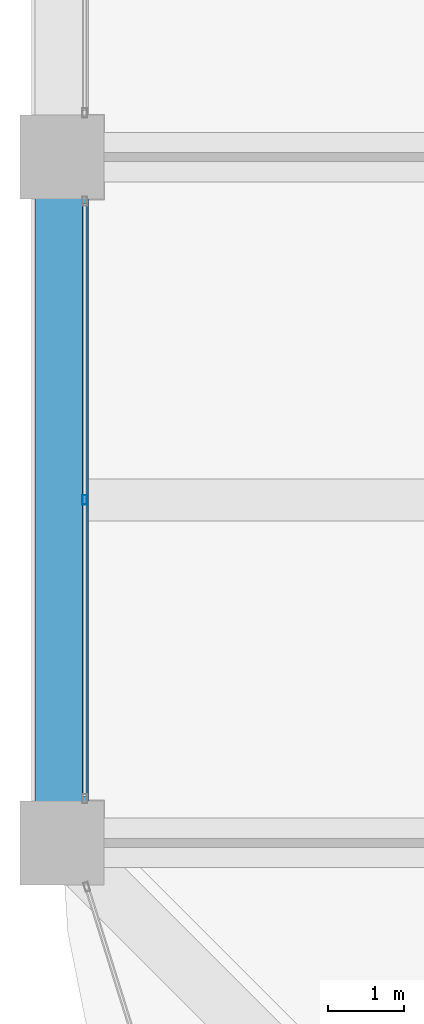
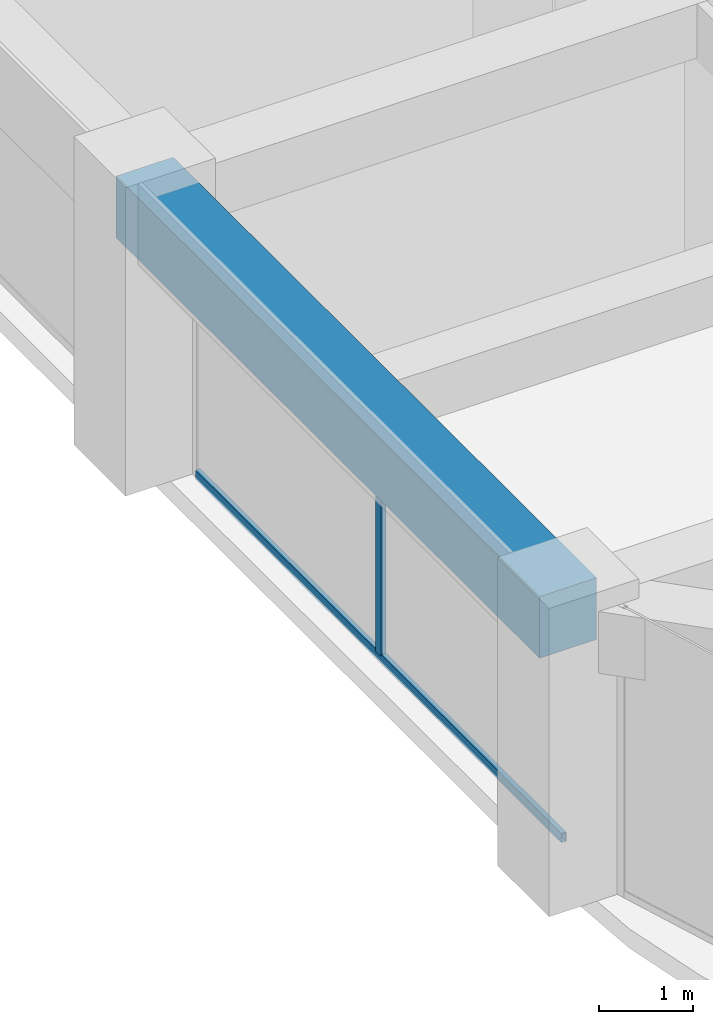
# One storey, part 7 of 45: 2 members, 1 beam, 1 element without a shape of its own.
"""IFC4 building model written with IfcOpenShell, lengths in metres."""

from ifc_helpers import new_model, si_unit, direction, frame, origin, origin_2d, place, context, subcontext, project, spatial, rectangle, hollow_rectangle, extrude, material, material_profile, profile_set, type_object, element, aggregate, save


model = new_model("IFC4")

# Units and contexts
model_context = context("Model", 3, precision=1e-05, world=origin(), true_north=direction((0.0, 1.0)))
body_context = subcontext(model_context, "Body", "Model", "MODEL_VIEW")
ifc_project = project(units=[si_unit("LENGTHUNIT", "METRE"), si_unit("AREAUNIT", "SQUARE_METRE"), si_unit("VOLUMEUNIT", "CUBIC_METRE"), si_unit("PLANEANGLEUNIT", "RADIAN"), si_unit("MASSUNIT", "GRAM", prefix="KILO")], contexts=[model_context])

# Site, building, storey
site_placement = place(None, origin())
site = spatial("IfcSite", under=ifc_project, at=site_placement, CompositionType="ELEMENT")
building_placement = place(site_placement, origin())
building = spatial("IfcBuilding", under=site, at=building_placement, Name="Zorevar Civic Tower", CompositionType="ELEMENT")
storey_placement = place(building_placement, frame((0.0, 0.0, 303.39990234375)))
storey = spatial("IfcBuildingStorey", under=building, at=storey_placement, Name="L74", CompositionType="ELEMENT", Elevation=303.39990234375)

# Curtain wall, members
ifc_material_1 = material(Name="Dark grey solar-control glass in black aluminium frame", Category="aluminium")
curtain_wall_type = type_object("IfcCurtainWallType", Name="Curtain wall CW5 top zone", PredefinedType="NOTDEFINED", material=ifc_material_1)
curtain_wall_placement = place(storey_placement, origin())
curtain_wall = element("IfcCurtainWall", 1, at=curtain_wall_placement, inside=storey, type_object=curtain_wall_type, Name="CW5 L74", PredefinedType="NOTDEFINED")
ifc_material_2 = material(Name="Aluminium, black anodised", Category="aluminium")
ifc_material_profile_1 = material_profile(ifc_material_2, hollow_rectangle(XDim=0.06005859375, YDim=0.1201171875, WallThickness=0.0029296875, at=origin_2d()), Name="AL 120x60x3")
ifc_profile_set_1 = profile_set([ifc_material_profile_1], Name="Aluminium, black anodised")
member_type_1 = type_object("IfcMemberType", Name="CW5 mullion AL 120x60x3", PredefinedType="MULLION", material=ifc_profile_set_1)
member_1_placement = place(storey_placement, frame((9.300048828125, 13.5, 0.06005859375), z_axis=(0.0, 0.0, 1.0), x_axis=(-1.0, 0.0, 0.0)))
member_1 = element("IfcMember", 2, at=member_1_placement, type_object=member_type_1, Name="CW5 mullion 2", PredefinedType="MULLION", context=body_context, shape_type="SweptSolid", body=[
    extrude(hollow_rectangle(XDim=0.06005859375, YDim=0.1201171875, WallThickness=0.0029296875, at=origin_2d()), origin(), (0.0, 0.0, 1.0), 2.89013671875),
])
ifc_material_3 = material(Name="Aluminium, black anodised", Category="aluminium")
ifc_material_profile_2 = material_profile(ifc_material_3, hollow_rectangle(XDim=0.06005859375, YDim=0.1201171875, WallThickness=0.0029296875, at=origin_2d()), Name="AL 120x60x3")
ifc_profile_set_2 = profile_set([ifc_material_profile_2], Name="Aluminium, black anodised")
member_type_2 = type_object("IfcMemberType", Name="CW5 transom AL 120x60x3", PredefinedType="USERDEFINED", material=ifc_profile_set_2)
member_2_placement = place(storey_placement, frame((9.300048828125, 9.610107421875, 0.030029296875), z_axis=(0.0, 1.0, 0.0), x_axis=(-1.0, 0.0, 0.0)))
member_2 = element("IfcMember", 3, at=member_2_placement, type_object=member_type_2, Name="CW5 sill transom", ObjectType="TRANSOM", PredefinedType="USERDEFINED", context=body_context, shape_type="SweptSolid", body=[
    extrude(hollow_rectangle(XDim=0.06005859375, YDim=0.1201171875, WallThickness=0.0029296875, at=origin_2d()), origin(), (0.0, 0.0, 1.0), 7.77978515625),
])
aggregate(curtain_wall, [member_1, member_2])

# Beam
ifc_material_4 = material(Name="Concrete C50/60", Category="concrete")
ifc_material_profile_3 = material_profile(ifc_material_4, rectangle(XDim=0.699951171875, YDim=0.800048828125, at=origin_2d()), Name="RC 700x800")
ifc_profile_set_3 = profile_set([ifc_material_profile_3], Name="Concrete C50/60")
beam_type = type_object("IfcBeamType", Name="Edge beam RC 700x800", PredefinedType="SPANDREL", material=ifc_profile_set_3)
beam_placement = place(storey_placement, frame((9.0, 9.0, 3.35009765625), z_axis=(0.0, 1.0, 0.0), x_axis=(-1.0, 0.0, 0.0)))
element("IfcBeam", 4, at=beam_placement, inside=storey, type_object=beam_type, Name="Edge beam L75", PredefinedType="SPANDREL", context=body_context, shape_type="SweptSolid", body=[
    extrude(rectangle(XDim=0.699951171875, YDim=0.800048828125, at=origin_2d()), origin(), (0.0, 0.0, 1.0), 9.0),
])

save(model, "model.ifc")
